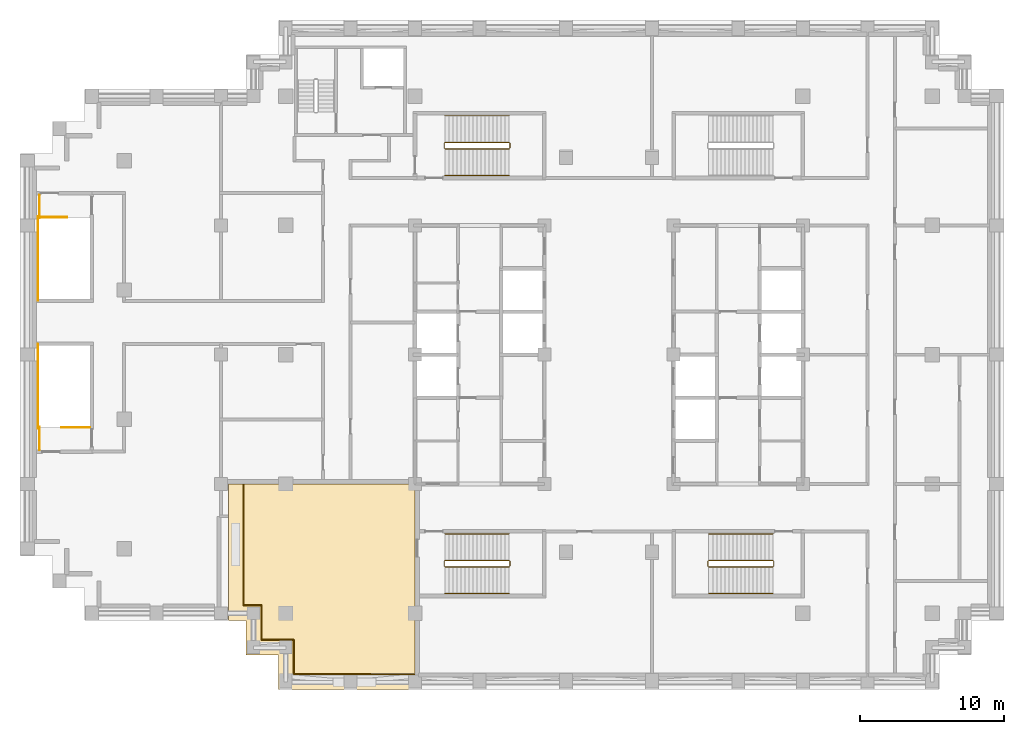
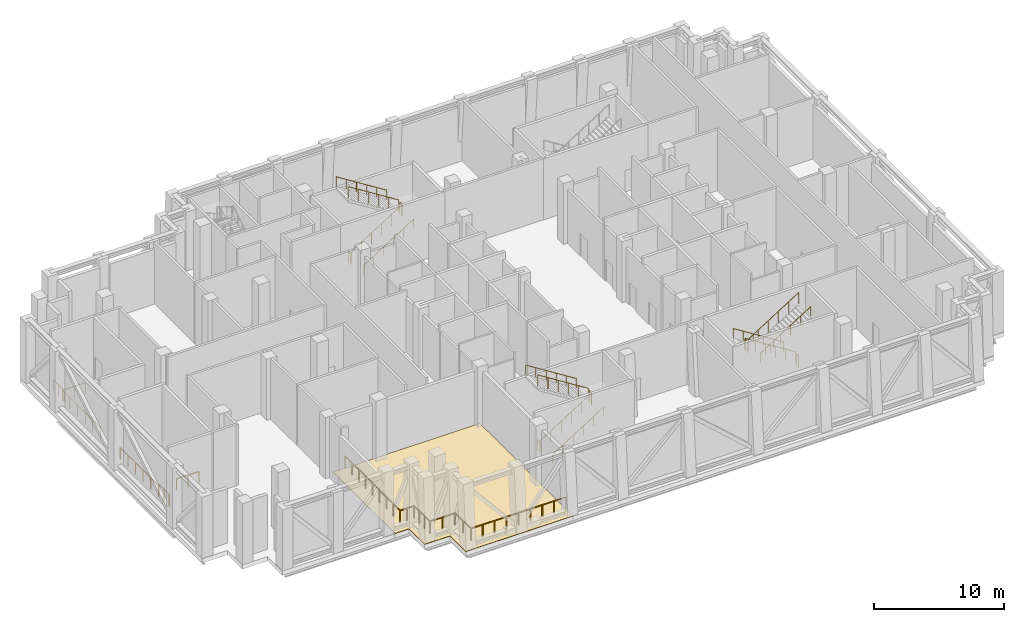
# One storey, part 9 of 10: 6 railings, 1 covering.
"""IFC4 building model written with IfcOpenShell, lengths in metres."""

from ifc_helpers import new_model, si_unit, direction, frame, origin, origin_2d, place, context, subcontext, project, spatial, polyline, circle, outline, extrude, material, layer, layer_set, type_object, element, save


model = new_model("IFC4")

# Units and contexts
model_context = context("Model", 3, precision=1e-05, world=origin(), true_north=direction((0.0, 1.0)))
body_context = subcontext(model_context, "Body", "Model", "MODEL_VIEW")
ifc_project = project(units=[si_unit("LENGTHUNIT", "METRE"), si_unit("AREAUNIT", "SQUARE_METRE"), si_unit("VOLUMEUNIT", "CUBIC_METRE"), si_unit("PLANEANGLEUNIT", "RADIAN"), si_unit("MASSUNIT", "GRAM", prefix="KILO")], contexts=[model_context])

# Site, building, storey
site_placement = place(None, origin())
site = spatial("IfcSite", under=ifc_project, at=site_placement, CompositionType="ELEMENT")
building_placement = place(site_placement, origin())
building = spatial("IfcBuilding", under=site, at=building_placement, Name="Corbelhall Arena Tower", CompositionType="ELEMENT")
storey_placement = place(building_placement, frame((0.0, 0.0, 236.0)))
storey = spatial("IfcBuildingStorey", under=building, at=storey_placement, Name="L50", CompositionType="ELEMENT", Elevation=236.0)

# Railing
ifc_material_1 = material(Name="Steel ASTM A500 Gr C", Category="steel")
railing_type_1 = type_object("IfcRailingType", Name="EV-GD1 Terrace guard 1100", PredefinedType="GUARDRAIL", material=ifc_material_1)
railing_1_placement = place(storey_placement, frame((-13.5, -22.239990234375, 0.0400390625)))
element("IfcRailing", 1, at=railing_1_placement, inside=storey, type_object=railing_type_1, Name="Guard", PredefinedType="GUARDRAIL", context=body_context, shape_type="SweptSolid", body=[
    extrude(circle(Radius=0.02392578125, at=origin_2d()), frame((0.0, 0.0, 1.1259765625), z_axis=(-1.0, 0.0, 0.0), x_axis=(0.0, -1.0, 0.0)), (0.0, 0.0, 1.0), 8.43994140625),
    extrude(circle(Radius=0.02392578125, at=origin_2d()), frame((-8.43994140625, 0.0, 1.1259765625), z_axis=(0.0, 1.0, 0.0), x_axis=(-1.0, 0.0, 0.0)), (0.0, 0.0, 1.0), 2.39990234375),
    extrude(circle(Radius=0.02392578125, at=origin_2d()), frame((-8.43994140625, 2.39990234375, 1.1259765625), z_axis=(-1.0, 0.0, 0.0), x_axis=(0.0, -1.0, 0.0)), (0.0, 0.0, 1.0), 2.25),
    extrude(circle(Radius=0.02392578125, at=origin_2d()), frame((-10.68994140625, 2.39990234375, 1.1259765625), z_axis=(0.0, 1.0, 0.0), x_axis=(-1.0, 0.0, 0.0)), (0.0, 0.0, 1.0), 2.400146484375),
    extrude(circle(Radius=0.02392578125, at=origin_2d()), frame((-10.68994140625, 4.800048828125, 1.1259765625), z_axis=(-1.0, 0.0, 0.0), x_axis=(0.0, -1.0, 0.0)), (0.0, 0.0, 1.0), 1.25),
    extrude(circle(Radius=0.02392578125, at=origin_2d()), frame((-11.93994140625, 4.800048828125, 1.1259765625), z_axis=(0.0, 1.0, 0.0), x_axis=(-1.0, 0.0, 0.0)), (0.0, 0.0, 1.0), 8.43994140625),
    extrude(circle(Radius=0.02099609375, at=origin_2d()), origin(), (0.0, 0.0, 1.0), 1.101806640625),
    extrude(circle(Radius=0.02099609375, at=origin_2d()), frame((-1.054931640625, 0.0, 0.0)), (0.0, 0.0, 1.0), 1.101806640625),
    extrude(circle(Radius=0.02099609375, at=origin_2d()), frame((-2.10986328125, 0.0, 0.0)), (0.0, 0.0, 1.0), 1.101806640625),
    extrude(circle(Radius=0.02099609375, at=origin_2d()), frame((-3.1650390625, 0.0, 0.0)), (0.0, 0.0, 1.0), 1.101806640625),
    extrude(circle(Radius=0.02099609375, at=origin_2d()), frame((-4.219970703125, 0.0, 0.0)), (0.0, 0.0, 1.0), 1.101806640625),
    extrude(circle(Radius=0.02099609375, at=origin_2d()), frame((-5.27490234375, 0.0, 0.0)), (0.0, 0.0, 1.0), 1.101806640625),
    extrude(circle(Radius=0.02099609375, at=origin_2d()), frame((-6.330078125, 0.0, 0.0)), (0.0, 0.0, 1.0), 1.101806640625),
    extrude(circle(Radius=0.02099609375, at=origin_2d()), frame((-7.385009765625, 0.0, 0.0)), (0.0, 0.0, 1.0), 1.101806640625),
    extrude(circle(Radius=0.02099609375, at=origin_2d()), frame((-8.43994140625, 0.0, 0.0)), (0.0, 0.0, 1.0), 1.101806640625),
    extrude(circle(Radius=0.02099609375, at=origin_2d()), frame((-8.43994140625, 1.199951171875, 0.0)), (0.0, 0.0, 1.0), 1.101806640625),
    extrude(circle(Radius=0.02099609375, at=origin_2d()), frame((-8.43994140625, 2.39990234375, 0.0)), (0.0, 0.0, 1.0), 1.101806640625),
    extrude(circle(Radius=0.02099609375, at=origin_2d()), frame((-9.56494140625, 2.39990234375, 0.0)), (0.0, 0.0, 1.0), 1.101806640625),
    extrude(circle(Radius=0.02099609375, at=origin_2d()), frame((-10.68994140625, 2.39990234375, 0.0)), (0.0, 0.0, 1.0), 1.101806640625),
    extrude(circle(Radius=0.02099609375, at=origin_2d()), frame((-10.68994140625, 3.199951171875, 0.0)), (0.0, 0.0, 1.0), 1.101806640625),
    extrude(circle(Radius=0.02099609375, at=origin_2d()), frame((-10.68994140625, 4.0, 0.0)), (0.0, 0.0, 1.0), 1.101806640625),
    extrude(circle(Radius=0.02099609375, at=origin_2d()), frame((-10.68994140625, 4.800048828125, 0.0)), (0.0, 0.0, 1.0), 1.101806640625),
    extrude(circle(Radius=0.02099609375, at=origin_2d()), frame((-11.31494140625, 4.800048828125, 0.0)), (0.0, 0.0, 1.0), 1.101806640625),
    extrude(circle(Radius=0.02099609375, at=origin_2d()), frame((-11.93994140625, 4.800048828125, 0.0)), (0.0, 0.0, 1.0), 1.101806640625),
    extrude(circle(Radius=0.02099609375, at=origin_2d()), frame((-11.93994140625, 5.85498046875, 0.0)), (0.0, 0.0, 1.0), 1.101806640625),
    extrude(circle(Radius=0.02099609375, at=origin_2d()), frame((-11.93994140625, 6.91015625, 0.0)), (0.0, 0.0, 1.0), 1.101806640625),
    extrude(circle(Radius=0.02099609375, at=origin_2d()), frame((-11.93994140625, 7.965087890625, 0.0)), (0.0, 0.0, 1.0), 1.101806640625),
    extrude(circle(Radius=0.02099609375, at=origin_2d()), frame((-11.93994140625, 9.02001953125, 0.0)), (0.0, 0.0, 1.0), 1.101806640625),
    extrude(circle(Radius=0.02099609375, at=origin_2d()), frame((-11.93994140625, 10.074951171875, 0.0)), (0.0, 0.0, 1.0), 1.101806640625),
    extrude(circle(Radius=0.02099609375, at=origin_2d()), frame((-11.93994140625, 11.1298828125, 0.0)), (0.0, 0.0, 1.0), 1.101806640625),
    extrude(circle(Radius=0.02099609375, at=origin_2d()), frame((-11.93994140625, 12.18505859375, 0.0)), (0.0, 0.0, 1.0), 1.101806640625),
    extrude(circle(Radius=0.02099609375, at=origin_2d()), frame((-11.93994140625, 13.239990234375, 0.0)), (0.0, 0.0, 1.0), 1.101806640625),
])

# Covering
ifc_material_2 = material(Name="Granite paving", Category="masonry")
ifc_layer = layer(ifc_material_2, 0.0400390625)
ifc_layer_set = layer_set([ifc_layer], Name="EV-PV1 Terrace paving 40")
covering_type = type_object("IfcCoveringType", Name="EV-PV1 Terrace paving 40", PredefinedType="FLOORING", material=ifc_layer_set)
covering_placement = place(storey_placement, origin())
element("IfcCovering", 2, at=covering_placement, inside=storey, type_object=covering_type, Name="Terrace paving", PredefinedType="FLOORING", context=body_context, shape_type="SweptSolid", body=[
    extrude(outline(polyline([(-13.5, -23.300048828125), (-23.0, -23.300048828125), (-23.0, -20.89990234375), (-25.25, -20.89990234375), (-25.25, -18.5), (-26.5, -18.5), (-26.5, -9.0), (-13.5, -9.0), (-13.5, -23.300048828125)])), origin(), (0.0, 0.0, 1.0), 0.0400390625),
])

# Railings
railing_type_2 = type_object("IfcRailingType", Name="IN-GD-1100", PredefinedType="GUARDRAIL", material=ifc_material_1)
railing_2_placement = place(storey_placement, frame((-11.425048828125, 14.324951171875, 0.176513671875)))
element("IfcRailing", 3, at=railing_2_placement, inside=storey, type_object=railing_type_2, Name="L50 ST1 stair guards and handrails", PredefinedType="GUARDRAIL", context=body_context, shape_type="SweptSolid", body=[
    extrude(circle(Radius=0.02392578125, at=origin_2d()), frame((0.0, 0.0, 1.076171875), z_axis=(0.845997938375, 0.0, 0.533186166611), x_axis=(0.0, 1.0, 0.0)), (0.0, 0.0, 1.0), 5.29541015625),
    extrude(circle(Radius=0.02392578125, at=origin_2d()), frame((4.530029296875, 0.050048828125, 3.8994140625), z_axis=(0.0, 1.0, 0.0), x_axis=(-1.0, 0.0, 0.0)), (0.0, 0.0, 1.0), 0.35009765625),
    extrude(circle(Radius=0.02392578125, at=origin_2d()), frame((4.47998046875, 0.449951171875, 4.076171875), z_axis=(-0.845997938375, 0.0, 0.533186166611), x_axis=(0.0, -1.0, 0.0)), (0.0, 0.0, 1.0), 5.29541015625),
    extrude(circle(Radius=0.02392578125, at=origin_2d()), frame((-0.050048828125, 0.050048828125, 0.8994140625), z_axis=(0.0, 1.0, 0.0), x_axis=(-1.0, 0.0, 0.0)), (0.0, 0.0, 1.0), 0.35009765625),
    extrude(circle(Radius=0.02392578125, at=origin_2d()), frame((0.0, -1.849853515625, 0.8759765625), z_axis=(0.845997938375, 0.0, 0.533186166611), x_axis=(0.0, 1.0, 0.0)), (0.0, 0.0, 1.0), 5.29541015625),
    extrude(circle(Radius=0.02392578125, at=origin_2d()), frame((4.47998046875, 2.300048828125, 3.8759765625), z_axis=(-0.845997938375, 0.0, 0.533186166611), x_axis=(0.0, -1.0, 0.0)), (0.0, 0.0, 1.0), 5.29541015625),
    extrude(circle(Radius=0.02099609375, at=origin_2d()), origin(), (0.0, 0.0, 1.0), 1.052001953125),
    extrude(circle(Radius=0.02099609375, at=origin_2d()), frame((0.89599609375, 0.0, 0.564697265625)), (0.0, 0.0, 1.0), 1.052001953125),
    extrude(circle(Radius=0.02099609375, at=origin_2d()), frame((1.7919921875, 0.0, 1.12939453125)), (0.0, 0.0, 1.0), 1.052001953125),
    extrude(circle(Radius=0.02099609375, at=origin_2d()), frame((2.68798828125, 0.0, 1.694091796875)), (0.0, 0.0, 1.0), 1.052001953125),
    extrude(circle(Radius=0.02099609375, at=origin_2d()), frame((3.583984375, 0.0, 2.2587890625)), (0.0, 0.0, 1.0), 1.052001953125),
    extrude(circle(Radius=0.02099609375, at=origin_2d()), frame((4.47998046875, 0.0, 2.823486328125)), (0.0, 0.0, 1.0), 1.052001953125),
    extrude(circle(Radius=0.02099609375, at=origin_2d()), frame((4.530029296875, 0.050048828125, 2.823486328125)), (0.0, 0.0, 1.0), 1.052001953125),
    extrude(circle(Radius=0.02099609375, at=origin_2d()), frame((4.530029296875, 0.400146484375, 2.823486328125)), (0.0, 0.0, 1.0), 1.052001953125),
    extrude(circle(Radius=0.02099609375, at=origin_2d()), frame((4.47998046875, 0.449951171875, 3.0)), (0.0, 0.0, 1.0), 1.052001953125),
    extrude(circle(Radius=0.02099609375, at=origin_2d()), frame((3.583984375, 0.449951171875, 3.564697265625)), (0.0, 0.0, 1.0), 1.052001953125),
    extrude(circle(Radius=0.02099609375, at=origin_2d()), frame((2.68798828125, 0.449951171875, 4.12939453125)), (0.0, 0.0, 1.0), 1.052001953125),
    extrude(circle(Radius=0.02099609375, at=origin_2d()), frame((1.7919921875, 0.449951171875, 4.694091796875)), (0.0, 0.0, 1.0), 1.052001953125),
    extrude(circle(Radius=0.02099609375, at=origin_2d()), frame((0.89599609375, 0.449951171875, 5.2587890625)), (0.0, 0.0, 1.0), 1.052001953125),
    extrude(circle(Radius=0.02099609375, at=origin_2d()), frame((0.0, 0.449951171875, 5.823486328125)), (0.0, 0.0, 1.0), 1.052001953125),
    extrude(circle(Radius=0.02099609375, at=origin_2d()), frame((-0.050048828125, 0.050048828125, -0.176513671875)), (0.0, 0.0, 1.0), 1.052001953125),
    extrude(circle(Radius=0.02099609375, at=origin_2d()), frame((-0.050048828125, 0.400146484375, -0.176513671875)), (0.0, 0.0, 1.0), 1.052001953125),
    extrude(circle(Radius=0.02099609375, at=origin_2d()), frame((0.0, -1.849853515625, 0.0)), (0.0, 0.0, 1.0), 0.851806640625),
    extrude(circle(Radius=0.02099609375, at=origin_2d()), frame((0.89599609375, -1.849853515625, 0.564697265625)), (0.0, 0.0, 1.0), 0.851806640625),
    extrude(circle(Radius=0.02099609375, at=origin_2d()), frame((1.7919921875, -1.849853515625, 1.12939453125)), (0.0, 0.0, 1.0), 0.851806640625),
    extrude(circle(Radius=0.02099609375, at=origin_2d()), frame((2.68798828125, -1.849853515625, 1.694091796875)), (0.0, 0.0, 1.0), 0.851806640625),
    extrude(circle(Radius=0.02099609375, at=origin_2d()), frame((3.583984375, -1.849853515625, 2.2587890625)), (0.0, 0.0, 1.0), 0.851806640625),
    extrude(circle(Radius=0.02099609375, at=origin_2d()), frame((4.47998046875, -1.849853515625, 2.823486328125)), (0.0, 0.0, 1.0), 0.851806640625),
    extrude(circle(Radius=0.02099609375, at=origin_2d()), frame((4.47998046875, 2.300048828125, 3.0)), (0.0, 0.0, 1.0), 0.851806640625),
    extrude(circle(Radius=0.02099609375, at=origin_2d()), frame((3.583984375, 2.300048828125, 3.564697265625)), (0.0, 0.0, 1.0), 0.851806640625),
    extrude(circle(Radius=0.02099609375, at=origin_2d()), frame((2.68798828125, 2.300048828125, 4.12939453125)), (0.0, 0.0, 1.0), 0.851806640625),
    extrude(circle(Radius=0.02099609375, at=origin_2d()), frame((1.7919921875, 2.300048828125, 4.694091796875)), (0.0, 0.0, 1.0), 0.851806640625),
    extrude(circle(Radius=0.02099609375, at=origin_2d()), frame((0.89599609375, 2.300048828125, 5.2587890625)), (0.0, 0.0, 1.0), 0.851806640625),
    extrude(circle(Radius=0.02099609375, at=origin_2d()), frame((0.0, 2.300048828125, 5.823486328125)), (0.0, 0.0, 1.0), 0.851806640625),
])
railing_3_placement = place(storey_placement, frame((-11.425048828125, -14.77490234375, 0.176513671875)))
element("IfcRailing", 4, at=railing_3_placement, inside=storey, type_object=railing_type_2, Name="L50 ST2 stair guards and handrails", PredefinedType="GUARDRAIL", context=body_context, shape_type="SweptSolid", body=[
    extrude(circle(Radius=0.02392578125, at=origin_2d()), frame((0.0, 0.0, 1.076171875), z_axis=(0.845997938375, 0.0, 0.533186166611), x_axis=(0.0, 1.0, 0.0)), (0.0, 0.0, 1.0), 5.29541015625),
    extrude(circle(Radius=0.02392578125, at=origin_2d()), frame((4.530029296875, 0.0498046875, 3.8994140625), z_axis=(0.0, 1.0, 0.0), x_axis=(-1.0, 0.0, 0.0)), (0.0, 0.0, 1.0), 0.35009765625),
    extrude(circle(Radius=0.02392578125, at=origin_2d()), frame((4.47998046875, 0.449951171875, 4.076171875), z_axis=(-0.845997938375, 0.0, 0.533186166611), x_axis=(0.0, -1.0, 0.0)), (0.0, 0.0, 1.0), 5.29541015625),
    extrude(circle(Radius=0.02392578125, at=origin_2d()), frame((-0.050048828125, 0.0498046875, 0.8994140625), z_axis=(0.0, 1.0, 0.0), x_axis=(-1.0, 0.0, 0.0)), (0.0, 0.0, 1.0), 0.35009765625),
    extrude(circle(Radius=0.02392578125, at=origin_2d()), frame((0.0, -1.85009765625, 0.8759765625), z_axis=(0.845997938375, 0.0, 0.533186166611), x_axis=(0.0, 1.0, 0.0)), (0.0, 0.0, 1.0), 5.29541015625),
    extrude(circle(Radius=0.02392578125, at=origin_2d()), frame((4.47998046875, 2.2998046875, 3.8759765625), z_axis=(-0.845997938375, 0.0, 0.533186166611), x_axis=(0.0, -1.0, 0.0)), (0.0, 0.0, 1.0), 5.29541015625),
    extrude(circle(Radius=0.02099609375, at=origin_2d()), origin(), (0.0, 0.0, 1.0), 1.052001953125),
    extrude(circle(Radius=0.02099609375, at=origin_2d()), frame((0.89599609375, 0.0, 0.564697265625)), (0.0, 0.0, 1.0), 1.052001953125),
    extrude(circle(Radius=0.02099609375, at=origin_2d()), frame((1.7919921875, 0.0, 1.12939453125)), (0.0, 0.0, 1.0), 1.052001953125),
    extrude(circle(Radius=0.02099609375, at=origin_2d()), frame((2.68798828125, 0.0, 1.694091796875)), (0.0, 0.0, 1.0), 1.052001953125),
    extrude(circle(Radius=0.02099609375, at=origin_2d()), frame((3.583984375, 0.0, 2.2587890625)), (0.0, 0.0, 1.0), 1.052001953125),
    extrude(circle(Radius=0.02099609375, at=origin_2d()), frame((4.47998046875, 0.0, 2.823486328125)), (0.0, 0.0, 1.0), 1.052001953125),
    extrude(circle(Radius=0.02099609375, at=origin_2d()), frame((4.530029296875, 0.0498046875, 2.823486328125)), (0.0, 0.0, 1.0), 1.052001953125),
    extrude(circle(Radius=0.02099609375, at=origin_2d()), frame((4.530029296875, 0.39990234375, 2.823486328125)), (0.0, 0.0, 1.0), 1.052001953125),
    extrude(circle(Radius=0.02099609375, at=origin_2d()), frame((4.47998046875, 0.449951171875, 3.0)), (0.0, 0.0, 1.0), 1.052001953125),
    extrude(circle(Radius=0.02099609375, at=origin_2d()), frame((3.583984375, 0.449951171875, 3.564697265625)), (0.0, 0.0, 1.0), 1.052001953125),
    extrude(circle(Radius=0.02099609375, at=origin_2d()), frame((2.68798828125, 0.449951171875, 4.12939453125)), (0.0, 0.0, 1.0), 1.052001953125),
    extrude(circle(Radius=0.02099609375, at=origin_2d()), frame((1.7919921875, 0.449951171875, 4.694091796875)), (0.0, 0.0, 1.0), 1.052001953125),
    extrude(circle(Radius=0.02099609375, at=origin_2d()), frame((0.89599609375, 0.449951171875, 5.2587890625)), (0.0, 0.0, 1.0), 1.052001953125),
    extrude(circle(Radius=0.02099609375, at=origin_2d()), frame((0.0, 0.449951171875, 5.823486328125)), (0.0, 0.0, 1.0), 1.052001953125),
    extrude(circle(Radius=0.02099609375, at=origin_2d()), frame((-0.050048828125, 0.0498046875, -0.176513671875)), (0.0, 0.0, 1.0), 1.052001953125),
    extrude(circle(Radius=0.02099609375, at=origin_2d()), frame((-0.050048828125, 0.39990234375, -0.176513671875)), (0.0, 0.0, 1.0), 1.052001953125),
    extrude(circle(Radius=0.02099609375, at=origin_2d()), frame((0.0, -1.85009765625, 0.0)), (0.0, 0.0, 1.0), 0.851806640625),
    extrude(circle(Radius=0.02099609375, at=origin_2d()), frame((0.89599609375, -1.85009765625, 0.564697265625)), (0.0, 0.0, 1.0), 0.851806640625),
    extrude(circle(Radius=0.02099609375, at=origin_2d()), frame((1.7919921875, -1.85009765625, 1.12939453125)), (0.0, 0.0, 1.0), 0.851806640625),
    extrude(circle(Radius=0.02099609375, at=origin_2d()), frame((2.68798828125, -1.85009765625, 1.694091796875)), (0.0, 0.0, 1.0), 0.851806640625),
    extrude(circle(Radius=0.02099609375, at=origin_2d()), frame((3.583984375, -1.85009765625, 2.2587890625)), (0.0, 0.0, 1.0), 0.851806640625),
    extrude(circle(Radius=0.02099609375, at=origin_2d()), frame((4.47998046875, -1.85009765625, 2.823486328125)), (0.0, 0.0, 1.0), 0.851806640625),
    extrude(circle(Radius=0.02099609375, at=origin_2d()), frame((4.47998046875, 2.2998046875, 3.0)), (0.0, 0.0, 1.0), 0.851806640625),
    extrude(circle(Radius=0.02099609375, at=origin_2d()), frame((3.583984375, 2.2998046875, 3.564697265625)), (0.0, 0.0, 1.0), 0.851806640625),
    extrude(circle(Radius=0.02099609375, at=origin_2d()), frame((2.68798828125, 2.2998046875, 4.12939453125)), (0.0, 0.0, 1.0), 0.851806640625),
    extrude(circle(Radius=0.02099609375, at=origin_2d()), frame((1.7919921875, 2.2998046875, 4.694091796875)), (0.0, 0.0, 1.0), 0.851806640625),
    extrude(circle(Radius=0.02099609375, at=origin_2d()), frame((0.89599609375, 2.2998046875, 5.2587890625)), (0.0, 0.0, 1.0), 0.851806640625),
    extrude(circle(Radius=0.02099609375, at=origin_2d()), frame((0.0, 2.2998046875, 5.823486328125)), (0.0, 0.0, 1.0), 0.851806640625),
])
railing_4_placement = place(storey_placement, frame((11.425048828125, -14.324951171875, 0.176513671875)))
element("IfcRailing", 5, at=railing_4_placement, inside=storey, type_object=railing_type_2, Name="L50 ST4 stair guards and handrails", PredefinedType="GUARDRAIL", context=body_context, shape_type="SweptSolid", body=[
    extrude(circle(Radius=0.02392578125, at=origin_2d()), frame((0.0, 0.0, 1.076171875), z_axis=(-0.845997938375, 0.0, 0.533186166611), x_axis=(0.0, -1.0, 0.0)), (0.0, 0.0, 1.0), 5.29541015625),
    extrude(circle(Radius=0.02392578125, at=origin_2d()), frame((-4.530029296875, -0.050048828125, 3.8994140625), z_axis=(0.0, -1.0, 0.0), x_axis=(1.0, 0.0, 0.0)), (0.0, 0.0, 1.0), 0.35009765625),
    extrude(circle(Radius=0.02392578125, at=origin_2d()), frame((-4.47998046875, -0.449951171875, 4.076171875), z_axis=(0.845997938375, 0.0, 0.533186166611), x_axis=(0.0, 1.0, 0.0)), (0.0, 0.0, 1.0), 5.29541015625),
    extrude(circle(Radius=0.02392578125, at=origin_2d()), frame((0.050048828125, -0.050048828125, 0.8994140625), z_axis=(0.0, -1.0, 0.0), x_axis=(1.0, 0.0, 0.0)), (0.0, 0.0, 1.0), 0.35009765625),
    extrude(circle(Radius=0.02392578125, at=origin_2d()), frame((0.0, 1.849853515625, 0.8759765625), z_axis=(-0.845997938375, 0.0, 0.533186166611), x_axis=(0.0, -1.0, 0.0)), (0.0, 0.0, 1.0), 5.29541015625),
    extrude(circle(Radius=0.02392578125, at=origin_2d()), frame((-4.47998046875, -2.300048828125, 3.8759765625), z_axis=(0.845997938375, 0.0, 0.533186166611), x_axis=(0.0, 1.0, 0.0)), (0.0, 0.0, 1.0), 5.29541015625),
    extrude(circle(Radius=0.02099609375, at=origin_2d()), origin(), (0.0, 0.0, 1.0), 1.052001953125),
    extrude(circle(Radius=0.02099609375, at=origin_2d()), frame((-0.89599609375, 0.0, 0.564697265625)), (0.0, 0.0, 1.0), 1.052001953125),
    extrude(circle(Radius=0.02099609375, at=origin_2d()), frame((-1.7919921875, 0.0, 1.12939453125)), (0.0, 0.0, 1.0), 1.052001953125),
    extrude(circle(Radius=0.02099609375, at=origin_2d()), frame((-2.68798828125, 0.0, 1.694091796875)), (0.0, 0.0, 1.0), 1.052001953125),
    extrude(circle(Radius=0.02099609375, at=origin_2d()), frame((-3.583984375, 0.0, 2.2587890625)), (0.0, 0.0, 1.0), 1.052001953125),
    extrude(circle(Radius=0.02099609375, at=origin_2d()), frame((-4.47998046875, 0.0, 2.823486328125)), (0.0, 0.0, 1.0), 1.052001953125),
    extrude(circle(Radius=0.02099609375, at=origin_2d()), frame((-4.530029296875, -0.050048828125, 2.823486328125)), (0.0, 0.0, 1.0), 1.052001953125),
    extrude(circle(Radius=0.02099609375, at=origin_2d()), frame((-4.530029296875, -0.400146484375, 2.823486328125)), (0.0, 0.0, 1.0), 1.052001953125),
    extrude(circle(Radius=0.02099609375, at=origin_2d()), frame((-4.47998046875, -0.449951171875, 3.0)), (0.0, 0.0, 1.0), 1.052001953125),
    extrude(circle(Radius=0.02099609375, at=origin_2d()), frame((-3.583984375, -0.449951171875, 3.564697265625)), (0.0, 0.0, 1.0), 1.052001953125),
    extrude(circle(Radius=0.02099609375, at=origin_2d()), frame((-2.68798828125, -0.449951171875, 4.12939453125)), (0.0, 0.0, 1.0), 1.052001953125),
    extrude(circle(Radius=0.02099609375, at=origin_2d()), frame((-1.7919921875, -0.449951171875, 4.694091796875)), (0.0, 0.0, 1.0), 1.052001953125),
    extrude(circle(Radius=0.02099609375, at=origin_2d()), frame((-0.89599609375, -0.449951171875, 5.2587890625)), (0.0, 0.0, 1.0), 1.052001953125),
    extrude(circle(Radius=0.02099609375, at=origin_2d()), frame((0.0, -0.449951171875, 5.823486328125)), (0.0, 0.0, 1.0), 1.052001953125),
    extrude(circle(Radius=0.02099609375, at=origin_2d()), frame((0.050048828125, -0.050048828125, -0.176513671875)), (0.0, 0.0, 1.0), 1.052001953125),
    extrude(circle(Radius=0.02099609375, at=origin_2d()), frame((0.050048828125, -0.400146484375, -0.176513671875)), (0.0, 0.0, 1.0), 1.052001953125),
    extrude(circle(Radius=0.02099609375, at=origin_2d()), frame((0.0, 1.849853515625, 0.0)), (0.0, 0.0, 1.0), 0.851806640625),
    extrude(circle(Radius=0.02099609375, at=origin_2d()), frame((-0.89599609375, 1.849853515625, 0.564697265625)), (0.0, 0.0, 1.0), 0.851806640625),
    extrude(circle(Radius=0.02099609375, at=origin_2d()), frame((-1.7919921875, 1.849853515625, 1.12939453125)), (0.0, 0.0, 1.0), 0.851806640625),
    extrude(circle(Radius=0.02099609375, at=origin_2d()), frame((-2.68798828125, 1.849853515625, 1.694091796875)), (0.0, 0.0, 1.0), 0.851806640625),
    extrude(circle(Radius=0.02099609375, at=origin_2d()), frame((-3.583984375, 1.849853515625, 2.2587890625)), (0.0, 0.0, 1.0), 0.851806640625),
    extrude(circle(Radius=0.02099609375, at=origin_2d()), frame((-4.47998046875, 1.849853515625, 2.823486328125)), (0.0, 0.0, 1.0), 0.851806640625),
    extrude(circle(Radius=0.02099609375, at=origin_2d()), frame((-4.47998046875, -2.300048828125, 3.0)), (0.0, 0.0, 1.0), 0.851806640625),
    extrude(circle(Radius=0.02099609375, at=origin_2d()), frame((-3.583984375, -2.300048828125, 3.564697265625)), (0.0, 0.0, 1.0), 0.851806640625),
    extrude(circle(Radius=0.02099609375, at=origin_2d()), frame((-2.68798828125, -2.300048828125, 4.12939453125)), (0.0, 0.0, 1.0), 0.851806640625),
    extrude(circle(Radius=0.02099609375, at=origin_2d()), frame((-1.7919921875, -2.300048828125, 4.694091796875)), (0.0, 0.0, 1.0), 0.851806640625),
    extrude(circle(Radius=0.02099609375, at=origin_2d()), frame((-0.89599609375, -2.300048828125, 5.2587890625)), (0.0, 0.0, 1.0), 0.851806640625),
    extrude(circle(Radius=0.02099609375, at=origin_2d()), frame((0.0, -2.300048828125, 5.823486328125)), (0.0, 0.0, 1.0), 0.851806640625),
])
railing_5_placement = place(storey_placement, frame((-39.699951171875, 9.574951171875, 0.0)))
element("IfcRailing", 6, at=railing_5_placement, inside=storey, type_object=railing_type_2, Name="L50 SC1 stair guards and handrails", PredefinedType="GUARDRAIL", context=body_context, shape_type="SweptSolid", body=[
    extrude(circle(Radius=0.02392578125, at=origin_2d()), frame((0.0, 0.0, 1.076171875), z_axis=(1.0, 0.0, 0.0), x_axis=(0.0, 1.0, 0.0)), (0.0, 0.0, 1.0), 1.974853515625),
    extrude(circle(Radius=0.02392578125, at=origin_2d()), frame((-0.050048828125, 0.050048828125, 1.076171875), z_axis=(0.0, -1.0, 0.0), x_axis=(1.0, 0.0, 0.0)), (0.0, 0.0, 1.0), 5.85009765625),
    extrude(circle(Radius=0.02392578125, at=origin_2d()), frame((0.050048828125, 1.550048828125, 1.076171875), z_axis=(0.0, -1.0, 0.0), x_axis=(1.0, 0.0, 0.0)), (0.0, 0.0, 1.0), 1.60009765625),
    extrude(circle(Radius=0.02099609375, at=origin_2d()), origin(), (0.0, 0.0, 1.0), 1.052001953125),
    extrude(circle(Radius=0.02099609375, at=origin_2d()), frame((0.9873046875, 0.0, 0.0)), (0.0, 0.0, 1.0), 1.052001953125),
    extrude(circle(Radius=0.02099609375, at=origin_2d()), frame((1.974853515625, 0.0, 0.0)), (0.0, 0.0, 1.0), 1.052001953125),
    extrude(circle(Radius=0.02099609375, at=origin_2d()), frame((-0.050048828125, 0.050048828125, 0.0)), (0.0, 0.0, 1.0), 1.052001953125),
    extrude(circle(Radius=0.02099609375, at=origin_2d()), frame((-0.050048828125, -1.119873046875, 0.0)), (0.0, 0.0, 1.0), 1.052001953125),
    extrude(circle(Radius=0.02099609375, at=origin_2d()), frame((-0.050048828125, -2.2900390625, 0.0)), (0.0, 0.0, 1.0), 1.052001953125),
    extrude(circle(Radius=0.02099609375, at=origin_2d()), frame((-0.050048828125, -3.4599609375, 0.0)), (0.0, 0.0, 1.0), 1.052001953125),
    extrude(circle(Radius=0.02099609375, at=origin_2d()), frame((-0.050048828125, -4.630126953125, 0.0)), (0.0, 0.0, 1.0), 1.052001953125),
    extrude(circle(Radius=0.02099609375, at=origin_2d()), frame((-0.050048828125, -5.800048828125, 0.0)), (0.0, 0.0, 1.0), 1.052001953125),
    extrude(circle(Radius=0.02099609375, at=origin_2d()), frame((0.050048828125, 1.550048828125, 0.0)), (0.0, 0.0, 1.0), 1.052001953125),
    extrude(circle(Radius=0.02099609375, at=origin_2d()), frame((0.050048828125, 0.75, 0.0)), (0.0, 0.0, 1.0), 1.052001953125),
    extrude(circle(Radius=0.02099609375, at=origin_2d()), frame((0.050048828125, -0.050048828125, 0.0)), (0.0, 0.0, 1.0), 1.052001953125),
])
railing_6_placement = place(storey_placement, frame((-36.125, -5.074951171875, 0.0)))
element("IfcRailing", 7, at=railing_6_placement, inside=storey, type_object=railing_type_2, Name="L50 SC2 stair guards and handrails", PredefinedType="GUARDRAIL", context=body_context, shape_type="SweptSolid", body=[
    extrude(circle(Radius=0.02392578125, at=origin_2d()), frame((0.0, 0.0, 1.076171875), z_axis=(-1.0, 0.0, 0.0), x_axis=(0.0, -1.0, 0.0)), (0.0, 0.0, 1.0), 1.97509765625),
    extrude(circle(Radius=0.02392578125, at=origin_2d()), frame((-3.625, -0.050048828125, 1.076171875), z_axis=(0.0, 1.0, 0.0), x_axis=(-1.0, 0.0, 0.0)), (0.0, 0.0, 1.0), 5.85009765625),
    extrude(circle(Radius=0.02392578125, at=origin_2d()), frame((-3.52490234375, -1.550048828125, 1.076171875), z_axis=(0.0, 1.0, 0.0), x_axis=(-1.0, 0.0, 0.0)), (0.0, 0.0, 1.0), 1.60009765625),
    extrude(circle(Radius=0.02099609375, at=origin_2d()), origin(), (0.0, 0.0, 1.0), 1.052001953125),
    extrude(circle(Radius=0.02099609375, at=origin_2d()), frame((-0.987548828125, 0.0, 0.0)), (0.0, 0.0, 1.0), 1.052001953125),
    extrude(circle(Radius=0.02099609375, at=origin_2d()), frame((-1.97509765625, 0.0, 0.0)), (0.0, 0.0, 1.0), 1.052001953125),
    extrude(circle(Radius=0.02099609375, at=origin_2d()), frame((-3.625, -0.050048828125, 0.0)), (0.0, 0.0, 1.0), 1.052001953125),
    extrude(circle(Radius=0.02099609375, at=origin_2d()), frame((-3.625, 1.119873046875, 0.0)), (0.0, 0.0, 1.0), 1.052001953125),
    extrude(circle(Radius=0.02099609375, at=origin_2d()), frame((-3.625, 2.2900390625, 0.0)), (0.0, 0.0, 1.0), 1.052001953125),
    extrude(circle(Radius=0.02099609375, at=origin_2d()), frame((-3.625, 3.4599609375, 0.0)), (0.0, 0.0, 1.0), 1.052001953125),
    extrude(circle(Radius=0.02099609375, at=origin_2d()), frame((-3.625, 4.630126953125, 0.0)), (0.0, 0.0, 1.0), 1.052001953125),
    extrude(circle(Radius=0.02099609375, at=origin_2d()), frame((-3.625, 5.800048828125, 0.0)), (0.0, 0.0, 1.0), 1.052001953125),
    extrude(circle(Radius=0.02099609375, at=origin_2d()), frame((-3.52490234375, -1.550048828125, 0.0)), (0.0, 0.0, 1.0), 1.052001953125),
    extrude(circle(Radius=0.02099609375, at=origin_2d()), frame((-3.52490234375, -0.75, 0.0)), (0.0, 0.0, 1.0), 1.052001953125),
    extrude(circle(Radius=0.02099609375, at=origin_2d()), frame((-3.52490234375, 0.050048828125, 0.0)), (0.0, 0.0, 1.0), 1.052001953125),
])

save(model, "model.ifc")
